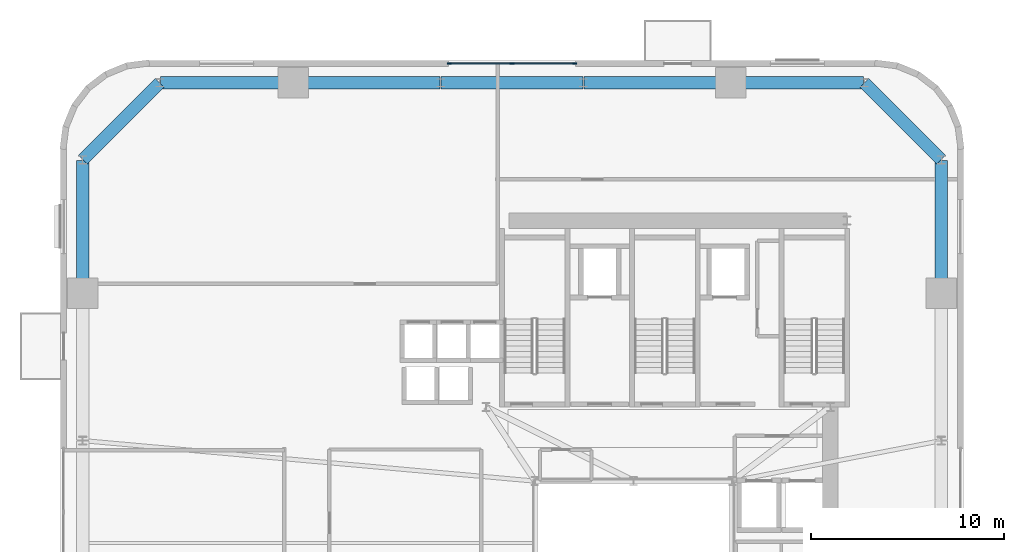
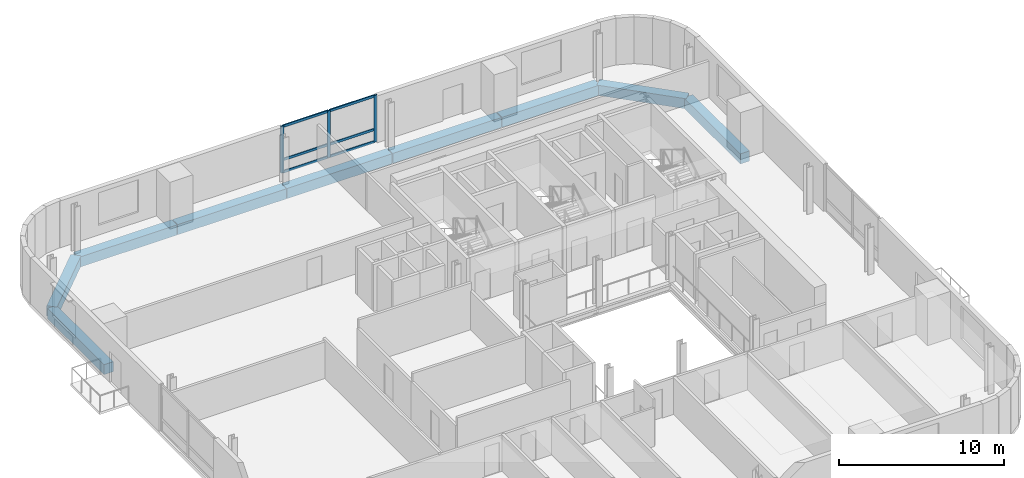
# One storey, part 4 of 14: 9 beams, 9 members, 1 element without a shape of its own.
"""IFC4 building model written with IfcOpenShell, lengths in metres."""

from ifc_helpers import new_model, si_unit, direction, frame, origin, origin_2d, place, context, subcontext, project, spatial, rectangle, extrude, source, transform, mapped, material, material_profile, profile_set, type_object, element, aggregate, save


model = new_model("IFC4")

# Units and contexts
model_context = context("Model", 3, precision=1e-05, world=origin(), true_north=direction((0.0, 1.0)))
body_context = subcontext(model_context, "Body", "Model", "MODEL_VIEW")
ifc_project = project(units=[si_unit("LENGTHUNIT", "METRE"), si_unit("AREAUNIT", "SQUARE_METRE"), si_unit("VOLUMEUNIT", "CUBIC_METRE"), si_unit("PLANEANGLEUNIT", "RADIAN"), si_unit("MASSUNIT", "GRAM", prefix="KILO")], contexts=[model_context])

# Site, building, storey
site_placement = place(None, origin())
site = spatial("IfcSite", under=ifc_project, at=site_placement, CompositionType="ELEMENT")
building_placement = place(site_placement, origin())
building = spatial("IfcBuilding", under=site, at=building_placement, Name="Vardaveli Station Tower", CompositionType="ELEMENT")
storey_placement = place(building_placement, frame((0.0, 0.0, 111.300048828125)))
storey = spatial("IfcBuildingStorey", under=building, at=storey_placement, Name="L28", CompositionType="ELEMENT", Elevation=111.300048828125)

# Beams
ifc_material_1 = material(Name="Precast concrete C45/55", Category="concrete")
ifc_material_profile_1 = material_profile(ifc_material_1, rectangle(XDim=0.64990234375, YDim=0.75, at=origin_2d()), Name="LPB 650x750")
ifc_profile_set_1 = profile_set([ifc_material_profile_1], Name="Precast concrete C45/55")
beam_type = type_object("IfcBeamType", Name="BM-LPB-750", PredefinedType="BEAM", material=ifc_profile_set_1)
shared_shape_1 = source(origin(), body_context, "Body", "SweptSolid", [
    extrude(rectangle(XDim=0.64990234375, YDim=0.75, at=origin_2d()), origin(), (0.0, 0.0, 1.0), 7.60009765625),
])
for number, where, z_axis, x_axis, name in (
    (1, (41.320068359375, 47.449951171875, -0.614990234375), (-1.0, 0.0, 0.0), (0.0, -1.0, 0.0), "RBM-L28-13"),
    (2, (26.280029296875, 47.449951171875, -0.614990234375), (-1.0, 0.0, 0.0), (0.0, -1.0, 0.0), "RBM-L28-15"),
):
    element("IfcBeam", number, at=place(storey_placement, frame(where, z_axis=z_axis, x_axis=x_axis)), inside=storey, type_object=beam_type, Name=name, PredefinedType="BEAM", context=body_context, shape_type="MappedRepresentation", body=[
        mapped(shared_shape_1, transform((0.0, 0.0, 0.0), scale=1.0)),
    ])
shared_shape_2 = source(origin(), body_context, "Body", "SweptSolid", [
    extrude(rectangle(XDim=0.64990234375, YDim=0.75, at=origin_2d()), origin(), (0.0, 0.0, 1.0), 7.35986328125),
])
beam_placement = place(storey_placement, frame((33.679931640625, 47.449951171875, -0.614990234375), z_axis=(-1.0, 0.0, 0.0), x_axis=(0.0, -1.0, 0.0)))
element("IfcBeam", 3, at=beam_placement, inside=storey, type_object=beam_type, Name="RBM-L28-14", PredefinedType="BEAM", context=body_context, shape_type="MappedRepresentation", body=[
    mapped(shared_shape_2, transform((0.0, 0.0, 0.0), scale=1.0)),
])
shared_shape_3 = source(origin(), body_context, "Body", "SweptSolid", [
    extrude(rectangle(XDim=0.64990234375, YDim=0.75, at=origin_2d()), origin(), (0.0, 0.0, 1.0), 6.869873046875),
])
for number, where, z_axis, x_axis, name in (
    (4, (52.25, 36.56005859375, -0.614990234375), (0.0, 1.0, 0.0), (-1.0, 0.0, 0.0), "RBM-L28-10"),
    (5, (48.22998046875, 47.449951171875, -0.614990234375), (-1.0, 0.0, 0.0), (0.0, -1.0, 0.0), "RBM-L28-12"),
    (6, (18.639892578125, 47.449951171875, -0.614990234375), (-1.0, 0.0, 0.0), (0.0, -1.0, 0.0), "RBM-L28-16"),
    (7, (7.75, 43.429931640625, -0.614990234375), (0.0, -1.0, 0.0), (1.0, 0.0, 0.0), "RBM-L28-18"),
):
    element("IfcBeam", number, at=place(storey_placement, frame(where, z_axis=z_axis, x_axis=x_axis)), inside=storey, type_object=beam_type, Name=name, PredefinedType="BEAM", context=body_context, shape_type="MappedRepresentation", body=[
        mapped(shared_shape_3, transform((0.0, 0.0, 0.0), scale=1.0)),
    ])
shared_shape_4 = source(origin(), body_context, "Body", "SweptSolid", [
    extrude(rectangle(XDim=0.64990234375, YDim=0.75, at=origin_2d()), origin(), (0.0, 0.0, 1.0), 5.61669921875),
])
for number, where, z_axis, x_axis, name in (
    (8, (52.23583984375, 43.464111328125, -0.614990234375), (-0.707106781187, 0.707106781187, 0.0), (-0.707106781187, -0.707106781187, 0.0), "RBM-L28-11"),
    (9, (11.73583984375, 47.435791015625, -0.614990234375), (-0.707106781187, -0.707106781187, 0.0), (0.707106781187, -0.707106781187, 0.0), "RBM-L28-17"),
):
    element("IfcBeam", number, at=place(storey_placement, frame(where, z_axis=z_axis, x_axis=x_axis)), inside=storey, type_object=beam_type, Name=name, PredefinedType="BEAM", context=body_context, shape_type="MappedRepresentation", body=[
        mapped(shared_shape_4, transform((0.0, 0.0, 0.0), scale=1.0)),
    ])

# Curtain wall, members
ifc_material_2 = material(Name="Travertine stone and solar-control glass", Category="masonry")
curtain_wall_type = type_object("IfcCurtainWallType", Name="CW-SYS-2", PredefinedType="NOTDEFINED", material=ifc_material_2)
curtain_wall_placement = place(storey_placement, origin())
curtain_wall = element("IfcCurtainWall", 10, at=curtain_wall_placement, inside=storey, type_object=curtain_wall_type, Name="CW-L28-N", PredefinedType="NOTDEFINED")
ifc_material_3 = material(Name="Anodised aluminium alloy 6063-T6", Category="aluminium")
ifc_material_profile_2 = material_profile(ifc_material_3, rectangle(XDim=0.0849609375, YDim=0.179931640625, at=origin_2d()), Name="CWT 85x180")
ifc_profile_set_2 = profile_set([ifc_material_profile_2], Name="Anodised aluminium alloy 6063-T6")
member_type_1 = type_object("IfcMemberType", Name="CW-SYS-2-TRAN", PredefinedType="NOTDEFINED", material=ifc_profile_set_2)
shared_shape_5 = source(origin(), body_context, "Body", "SweptSolid", [
    extrude(rectangle(XDim=0.0849609375, YDim=0.179931640625, at=origin_2d()), origin(), (0.0, 0.0, 1.0), 3.172607421875),
])
member_1_placement = place(storey_placement, frame((33.215087890625, 48.43994140625, 0.04248046875), z_axis=(-1.0, 0.0, 0.0), x_axis=(0.0, -1.0, 0.0)))
member_1 = element("IfcMember", 11, at=member_1_placement, type_object=member_type_1, Name="CW-2 transom 1.1", ObjectType="TRANSOM", PredefinedType="USERDEFINED", context=body_context, shape_type="MappedRepresentation", body=[
    mapped(shared_shape_5, transform((0.0, 0.0, 0.0), scale=1.0)),
])
member_2_placement = place(storey_placement, frame((33.215087890625, 48.43994140625, 0.949951171875), z_axis=(-1.0, 0.0, 0.0), x_axis=(0.0, -1.0, 0.0)))
member_2 = element("IfcMember", 12, at=member_2_placement, type_object=member_type_1, Name="CW-2 transom 1.2", ObjectType="TRANSOM", PredefinedType="USERDEFINED", context=body_context, shape_type="MappedRepresentation", body=[
    mapped(shared_shape_5, transform((0.0, 0.0, 0.0), scale=1.0)),
])
member_3_placement = place(storey_placement, frame((33.215087890625, 48.43994140625, 3.41748046875), z_axis=(-1.0, 0.0, 0.0), x_axis=(0.0, -1.0, 0.0)))
member_3 = element("IfcMember", 13, at=member_3_placement, type_object=member_type_1, Name="CW-2 transom 1.3", ObjectType="TRANSOM", PredefinedType="USERDEFINED", context=body_context, shape_type="MappedRepresentation", body=[
    mapped(shared_shape_5, transform((0.0, 0.0, 0.0), scale=1.0)),
])
member_4_placement = place(storey_placement, frame((29.95751953125, 48.43994140625, 0.04248046875), z_axis=(-1.0, 0.0, 0.0), x_axis=(0.0, -1.0, 0.0)))
member_4 = element("IfcMember", 14, at=member_4_placement, type_object=member_type_1, Name="CW-2 transom 2.1", ObjectType="TRANSOM", PredefinedType="USERDEFINED", context=body_context, shape_type="MappedRepresentation", body=[
    mapped(shared_shape_5, transform((0.0, 0.0, 0.0), scale=1.0)),
])
member_5_placement = place(storey_placement, frame((29.95751953125, 48.43994140625, 0.949951171875), z_axis=(-1.0, 0.0, 0.0), x_axis=(0.0, -1.0, 0.0)))
member_5 = element("IfcMember", 15, at=member_5_placement, type_object=member_type_1, Name="CW-2 transom 2.2", ObjectType="TRANSOM", PredefinedType="USERDEFINED", context=body_context, shape_type="MappedRepresentation", body=[
    mapped(shared_shape_5, transform((0.0, 0.0, 0.0), scale=1.0)),
])
member_6_placement = place(storey_placement, frame((29.95751953125, 48.43994140625, 3.41748046875), z_axis=(-1.0, 0.0, 0.0), x_axis=(0.0, -1.0, 0.0)))
member_6 = element("IfcMember", 16, at=member_6_placement, type_object=member_type_1, Name="CW-2 transom 2.3", ObjectType="TRANSOM", PredefinedType="USERDEFINED", context=body_context, shape_type="MappedRepresentation", body=[
    mapped(shared_shape_5, transform((0.0, 0.0, 0.0), scale=1.0)),
])
ifc_material_profile_3 = material_profile(ifc_material_3, rectangle(XDim=0.0849609375, YDim=0.219970703125, at=origin_2d()), Name="CWM 85x220")
ifc_profile_set_3 = profile_set([ifc_material_profile_3], Name="Anodised aluminium alloy 6063-T6")
member_type_2 = type_object("IfcMemberType", Name="CW-SYS-2-MULL", PredefinedType="MULLION", material=ifc_profile_set_3)
shared_shape_6 = source(origin(), body_context, "Body", "SweptSolid", [
    extrude(rectangle(XDim=0.0849609375, YDim=0.219970703125, at=origin_2d()), origin(), (0.0, 0.0, 1.0), 3.4599609375),
])
member_7_placement = place(storey_placement, frame((33.257568359375, 48.43994140625, 0.0), z_axis=(0.0, 0.0, 1.0), x_axis=(0.0, -1.0, 0.0)))
member_7 = element("IfcMember", 17, at=member_7_placement, type_object=member_type_2, Name="CW-2 mullion 1", PredefinedType="MULLION", context=body_context, shape_type="MappedRepresentation", body=[
    mapped(shared_shape_6, transform((0.0, 0.0, 0.0), scale=1.0)),
])
member_8_placement = place(storey_placement, frame((30.0, 48.43994140625, 0.0), z_axis=(0.0, 0.0, 1.0), x_axis=(0.0, -1.0, 0.0)))
member_8 = element("IfcMember", 18, at=member_8_placement, type_object=member_type_2, Name="CW-2 mullion 2", PredefinedType="MULLION", context=body_context, shape_type="MappedRepresentation", body=[
    mapped(shared_shape_6, transform((0.0, 0.0, 0.0), scale=1.0)),
])
member_9_placement = place(storey_placement, frame((26.742431640625, 48.43994140625, 0.0), z_axis=(0.0, 0.0, 1.0), x_axis=(0.0, -1.0, 0.0)))
member_9 = element("IfcMember", 19, at=member_9_placement, type_object=member_type_2, Name="CW-2 mullion 3", PredefinedType="MULLION", context=body_context, shape_type="MappedRepresentation", body=[
    mapped(shared_shape_6, transform((0.0, 0.0, 0.0), scale=1.0)),
])
aggregate(curtain_wall, [member_7, member_8, member_9, member_1, member_2, member_3, member_4, member_5, member_6])

save(model, "model.ifc")
